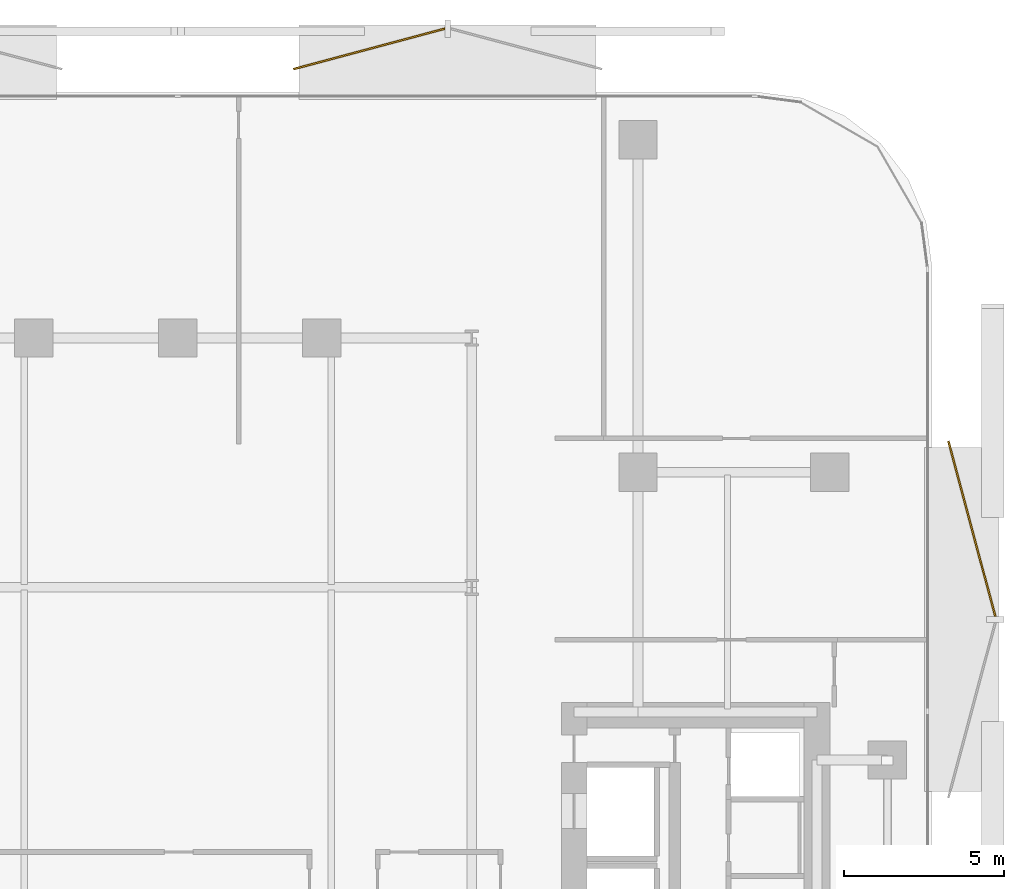
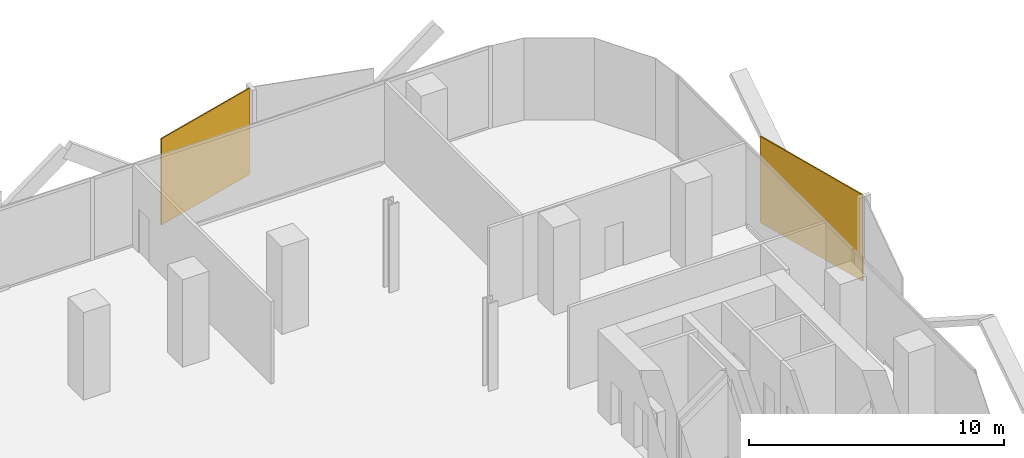
# One storey, part 15 of 15: 2 coverings.
"""IFC4 building model written with IfcOpenShell, lengths in metres."""

from ifc_helpers import new_model, si_unit, direction, frame, origin, origin_2d, place, context, subcontext, project, spatial, rectangle, extrude, material, layer, layer_set, type_object, element, save


model = new_model("IFC4")

# Units and contexts
model_context = context("Model", 3, precision=1e-05, world=origin(), true_north=direction((0.0, 1.0)))
body_context = subcontext(model_context, "Body", "Model", "MODEL_VIEW")
ifc_project = project(units=[si_unit("LENGTHUNIT", "METRE"), si_unit("AREAUNIT", "SQUARE_METRE"), si_unit("VOLUMEUNIT", "CUBIC_METRE"), si_unit("PLANEANGLEUNIT", "RADIAN"), si_unit("MASSUNIT", "GRAM", prefix="KILO")], contexts=[model_context])

# Site, building, storey
site_placement = place(None, origin())
site = spatial("IfcSite", under=ifc_project, at=site_placement, CompositionType="ELEMENT")
building_placement = place(site_placement, origin())
building = spatial("IfcBuilding", under=site, at=building_placement, Name="Khairoan Windgate Tower", CompositionType="ELEMENT")
storey_placement = place(building_placement, frame((0.0, 0.0, 126.800048828125)))
storey = spatial("IfcBuildingStorey", under=building, at=storey_placement, Name="L29", CompositionType="ELEMENT", Elevation=126.800048828125)

# Coverings
ifc_material = material(Name="Anodised Bronze Aluminium 6063-T6", Category="aluminium")
ifc_layer = layer(ifc_material, 0.054931640625, Name="Anodised Bronze Aluminium 6063-T6")
ifc_layer_set = layer_set([ifc_layer], Name="Anodised Bronze Aluminium 6063-T6")
covering_type = type_object("IfcCoveringType", Name="Perforated Bronze-Ceramic Folded Solar Screen Cladding BSC-1", PredefinedType="CLADDING", material=ifc_layer_set)
covering_1_placement = place(storey_placement, frame((5.98974609375, 27.646240234375, -0.10009765625), z_axis=(0.0, 0.0, 1.0), x_axis=(0.965925826289, 0.258819045103, 0.0)))
element("IfcCovering", 1, at=covering_1_placement, inside=storey, type_object=covering_type, Name="L29 Folded Bronze Solar Screen Facet 182L", PredefinedType="CLADDING", context=body_context, shape_type="SweptSolid", body=[
    extrude(rectangle(XDim=4.89794921875, YDim=0.054931640625, at=origin_2d()), origin(), (0.0, 0.0, 1.0), 4.139892578125),
])
covering_2_placement = place(storey_placement, frame((24.8447265625, 12.629150390625, -0.10009765625), z_axis=(0.0, 0.0, 1.0), x_axis=(0.258819045103, -0.965925826289, 0.0)))
element("IfcCovering", 2, at=covering_2_placement, inside=storey, type_object=covering_type, Name="L29 Folded Bronze Solar Screen Facet 183L", PredefinedType="CLADDING", context=body_context, shape_type="SweptSolid", body=[
    extrude(rectangle(XDim=5.680908203125, YDim=0.054931640625, at=origin_2d()), origin(), (0.0, 0.0, 1.0), 4.139892578125),
])

save(model, "model.ifc")
